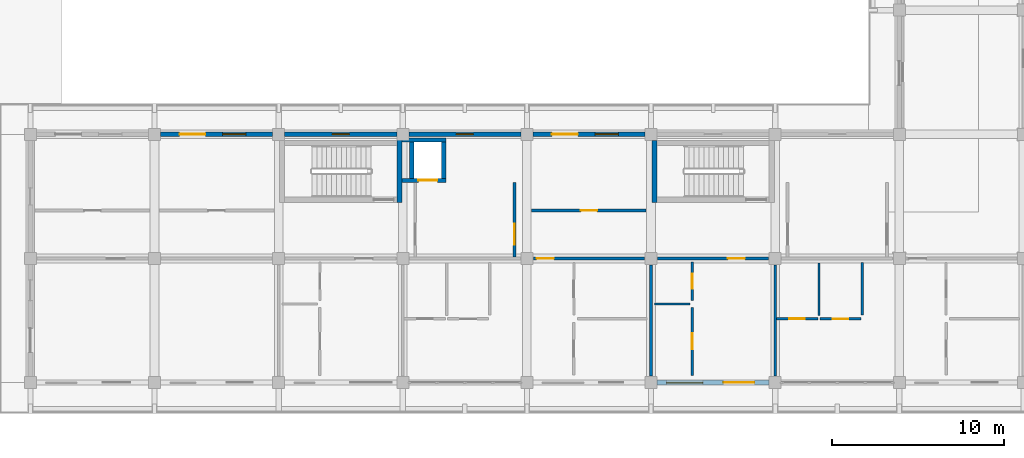
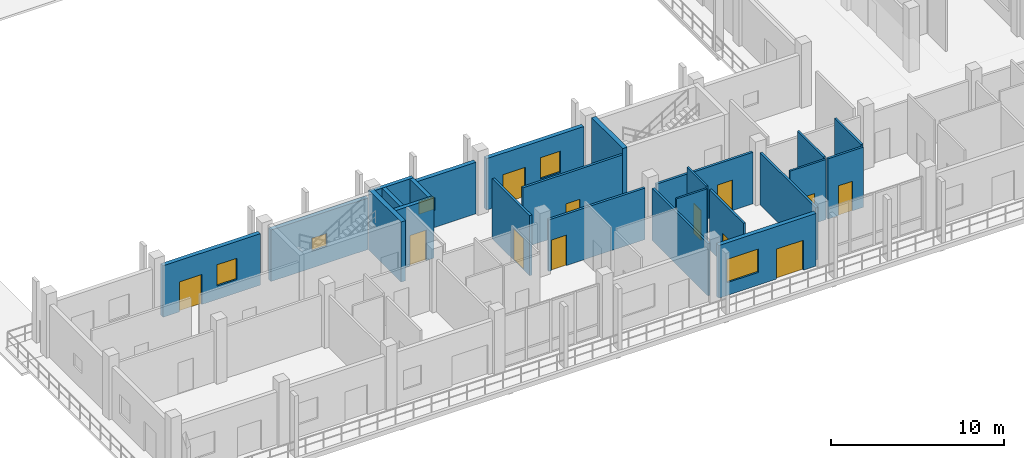
# One storey, part 82 of 110: 24 walls, 12 doors, 5 windows, 17 openings.
"""IFC4 building model written with IfcOpenShell, lengths in metres."""

from ifc_helpers import new_model, si_unit, direction, frame, frame_2d, origin, place, context, subcontext, project, spatial, rectangle, extrude, material, layer, layer_set, type_object, element, fill, save


model = new_model("IFC4")

# Units and contexts
model_context = context("Model", 3, precision=1e-05, world=origin(), true_north=direction((0.0, 1.0)))
body_context = subcontext(model_context, "Body", "Model", "MODEL_VIEW")
ifc_project = project(units=[si_unit("LENGTHUNIT", "METRE"), si_unit("AREAUNIT", "SQUARE_METRE"), si_unit("VOLUMEUNIT", "CUBIC_METRE"), si_unit("PLANEANGLEUNIT", "RADIAN"), si_unit("MASSUNIT", "GRAM", prefix="KILO")], contexts=[model_context])

# Site, building, storey
site_placement = place(None, origin())
site = spatial("IfcSite", under=ifc_project, at=site_placement, CompositionType="ELEMENT")
building_placement = place(site_placement, origin())
building = spatial("IfcBuilding", under=site, at=building_placement, Name="Suanplinth Sawtooth Commons", CompositionType="ELEMENT")
storey_placement = place(building_placement, frame((0.0, 0.0, 4.5)))
storey = spatial("IfcBuildingStorey", under=building, at=storey_placement, Name="L01", CompositionType="ELEMENT", Elevation=4.5)

# Walls
ifc_material_1 = material(Name="Concrete C40/50", Category="concrete")
ifc_layer_1 = layer(ifc_material_1, 0.300048828125, Name="Standard RC stair and lift core wall 300mm")
ifc_layer_set_1 = layer_set([ifc_layer_1], Name="Concrete C40/50")
wall_type_1 = type_object("IfcWallType", Name="W-CR02", PredefinedType="SHEAR", material=ifc_layer_set_1)
wall_1_placement = place(storey_placement, frame((143.800048828125, 10.449951171875, 0.0), z_axis=(0.0, 0.0, 1.0), x_axis=(0.0, 1.0, 0.0)))
element("IfcWall", 1, at=wall_1_placement, inside=storey, type_object=wall_type_1, Name="W-L01-C-C1-STE", PredefinedType="SHEAR", context=body_context, shape_type="SweptSolid", body=[
    extrude(rectangle(XDim=3.75, YDim=0.300048828125, at=frame_2d((1.875, 0.0))), origin(), (0.0, 0.0, 1.0), 4.25),
])
wall_2_placement = place(storey_placement, frame((158.60009765625, 10.449951171875, 0.0), z_axis=(0.0, 0.0, 1.0), x_axis=(0.0, 1.0, 0.0)))
element("IfcWall", 2, at=wall_2_placement, inside=storey, type_object=wall_type_1, Name="W-L01-C-C2-STW", PredefinedType="SHEAR", context=body_context, shape_type="SweptSolid", body=[
    extrude(rectangle(XDim=3.60009765625, YDim=0.300048828125, at=frame_2d((1.800048828125, 0.0))), origin(), (0.0, 0.0, 1.0), 4.25),
])

# Wall, openings, door, window
ifc_material_2 = material(Name="Precast concrete C40/50", Category="concrete")
ifc_layer_2 = layer(ifc_material_2, 0.280029296875, Name="Insulated precast architectural facade wall 280mm")
ifc_layer_set_2 = layer_set([ifc_layer_2], Name="Precast concrete C40/50")
wall_type_2 = type_object("IfcWallType", Name="W-EX01", PredefinedType="ELEMENTEDWALL", material=ifc_layer_set_2)
wall_3_placement = place(storey_placement, frame((129.949951171875, 14.39990234375, 0.0), z_axis=(0.0, 0.0, 1.0), x_axis=(1.0, 0.0, 0.0)))
wall_3 = element("IfcWall", 3, at=wall_3_placement, inside=storey, type_object=wall_type_2, Name="Facade Wall W-L01-C-N-18-1", PredefinedType="ELEMENTEDWALL", context=body_context, shape_type="SweptSolid", body=[
    extrude(rectangle(XDim=6.5, YDim=0.280029296875, at=frame_2d((3.25, 0.0))), origin(), (0.0, 0.0, 1.0), 3.635009765625),
])
opening_1_placement = place(wall_3_placement, frame((1.10009765625, 0.0, 0.0)))
opening_1 = element("IfcOpeningElement", 4, at=opening_1_placement, cuts=wall_3, Name="Opening ED0091", PredefinedType="OPENING", context=body_context, shape_type="SweptSolid", body=[
    extrude(rectangle(XDim=1.5, YDim=2.1201171875, at=frame_2d((0.75, 1.06005859375))), frame((0.0, 0.15478515625, 0.0), z_axis=(0.0, -1.0, 0.0), x_axis=(1.0, 0.0, 0.0)), (0.0, 0.0, 1.0), 0.309814453125),
])
opening_2_placement = place(wall_3_placement, frame((3.60009765625, 0.0, 0.949951171875)))
opening_2 = element("IfcOpeningElement", 5, at=opening_2_placement, cuts=wall_3, Name="Opening W0213", PredefinedType="OPENING", context=body_context, shape_type="SweptSolid", body=[
    extrude(rectangle(XDim=1.35009765625, YDim=1.5, at=frame_2d((0.675048828125, 0.75))), frame((0.0, 0.15478515625, 0.0), z_axis=(0.0, -1.0, 0.0), x_axis=(1.0, 0.0, 0.0)), (0.0, 0.0, 1.0), 0.309814453125),
])
ifc_material_3 = material(Name="Anodized aluminium and low-E glass", Category="aluminium")
door_type_1 = type_object("IfcDoorType", Name="SD-03", OperationType="SLIDING_TO_LEFT", PredefinedType="DOOR", material=ifc_material_3)
door_1_placement = place(opening_1_placement, frame((1.5, 0.0, 0.0), z_axis=(0.0, 0.0, 1.0), x_axis=(-1.0, 0.0, 0.0)))
door_1 = element("IfcDoor", 6, at=door_1_placement, inside=storey, type_object=door_type_1, Name="Courtyard Balcony Door L01-C-18", OperationType="SLIDING_TO_LEFT", OverallHeight=2.1201171875, OverallWidth=1.5, PredefinedType="DOOR", context=body_context, shape_type="SweptSolid", body=[
    extrude(rectangle(XDim=1.5, YDim=2.1201171875, at=frame_2d((0.75, 1.06005859375))), frame((0.0, 0.02490234375, 0.0), z_axis=(0.0, -1.0, 0.0), x_axis=(1.0, 0.0, 0.0)), (0.0, 0.0, 1.0), 0.050048828125),
])
fill(opening_1, door_1)
ifc_material_4 = material(Name="Thermally broken aluminium and low-E double glazing", Category="aluminium")
window_type_1 = type_object("IfcWindowType", Name="WN-14", PartitioningType="SINGLE_PANEL", PredefinedType="WINDOW", material=ifc_material_4)
window_1_placement = place(opening_2_placement, origin())
window_1 = element("IfcWindow", 7, at=window_1_placement, inside=storey, type_object=window_type_1, Name="Courtyard Window L01-C-18", OverallHeight=1.5, OverallWidth=1.35009765625, PartitioningType="SINGLE_PANEL", PredefinedType="WINDOW", context=body_context, shape_type="SweptSolid", body=[
    extrude(rectangle(XDim=1.35009765625, YDim=1.5, at=frame_2d((0.675048828125, 0.75))), frame((0.0, 0.030029296875, 0.0), z_axis=(0.0, -1.0, 0.0), x_axis=(1.0, 0.0, 0.0)), (0.0, 0.0, 1.0), 0.06005859375),
])
fill(opening_2, window_1)

# Wall, opening, window
wall_4_placement = place(storey_placement, frame((137.14990234375, 14.39990234375, 0.0), z_axis=(0.0, 0.0, 1.0), x_axis=(1.0, 0.0, 0.0)))
wall_4 = element("IfcWall", 8, at=wall_4_placement, inside=storey, type_object=wall_type_2, Name="Facade Wall W-L01-C-N-19-1", PredefinedType="ELEMENTEDWALL", context=body_context, shape_type="SweptSolid", body=[
    extrude(rectangle(XDim=6.5, YDim=0.280029296875, at=frame_2d((3.25, 0.0))), origin(), (0.0, 0.0, 1.0), 3.635009765625),
])
opening_3_placement = place(wall_4_placement, frame((2.75, 0.0, 1.199951171875)))
opening_3 = element("IfcOpeningElement", 9, at=opening_3_placement, cuts=wall_4, Name="Opening W0215", PredefinedType="OPENING", context=body_context, shape_type="SweptSolid", body=[
    extrude(rectangle(XDim=1.0, YDim=0.89990234375, at=frame_2d((0.5, 0.449951171875))), frame((0.0, 0.15478515625, 0.0), z_axis=(0.0, -1.0, 0.0), x_axis=(1.0, 0.0, 0.0)), (0.0, 0.0, 1.0), 0.309814453125),
])
window_type_2 = type_object("IfcWindowType", Name="WN-12", PartitioningType="SINGLE_PANEL", PredefinedType="WINDOW", material=ifc_material_4)
window_2_placement = place(opening_3_placement, origin())
window_2 = element("IfcWindow", 10, at=window_2_placement, inside=storey, type_object=window_type_2, Name="Core Daylight Window L01-C-19-1", OverallHeight=0.89990234375, OverallWidth=1.0, PartitioningType="SINGLE_PANEL", PredefinedType="WINDOW", context=body_context, shape_type="SweptSolid", body=[
    extrude(rectangle(XDim=1.0, YDim=0.89990234375, at=frame_2d((0.5, 0.449951171875))), frame((0.0, 0.030029296875, 0.0), z_axis=(0.0, -1.0, 0.0), x_axis=(1.0, 0.0, 0.0)), (0.0, 0.0, 1.0), 0.06005859375),
])
fill(opening_3, window_2)

wall_5_placement = place(storey_placement, frame((144.35009765625, 14.39990234375, 0.0), z_axis=(0.0, 0.0, 1.0), x_axis=(1.0, 0.0, 0.0)))
wall_5 = element("IfcWall", 11, at=wall_5_placement, inside=storey, type_object=wall_type_2, Name="Facade Wall W-L01-C-N-20-1", PredefinedType="ELEMENTEDWALL", context=body_context, shape_type="SweptSolid", body=[
    extrude(rectangle(XDim=6.5, YDim=0.280029296875, at=frame_2d((3.25, 0.0))), origin(), (0.0, 0.0, 1.0), 3.635009765625),
])
opening_4_placement = place(wall_5_placement, frame((2.75, 0.0, 1.199951171875)))
opening_4 = element("IfcOpeningElement", 12, at=opening_4_placement, cuts=wall_5, Name="Opening W0216", PredefinedType="OPENING", context=body_context, shape_type="SweptSolid", body=[
    extrude(rectangle(XDim=1.0, YDim=0.89990234375, at=frame_2d((0.5, 0.449951171875))), frame((0.0, 0.15478515625, 0.0), z_axis=(0.0, -1.0, 0.0), x_axis=(1.0, 0.0, 0.0)), (0.0, 0.0, 1.0), 0.309814453125),
])
window_3_placement = place(opening_4_placement, origin())
window_3 = element("IfcWindow", 13, at=window_3_placement, inside=storey, type_object=window_type_2, Name="Core Daylight Window L01-C-20-1", OverallHeight=0.89990234375, OverallWidth=1.0, PartitioningType="SINGLE_PANEL", PredefinedType="WINDOW", context=body_context, shape_type="SweptSolid", body=[
    extrude(rectangle(XDim=1.0, YDim=0.89990234375, at=frame_2d((0.5, 0.449951171875))), frame((0.0, 0.030029296875, 0.0), z_axis=(0.0, -1.0, 0.0), x_axis=(1.0, 0.0, 0.0)), (0.0, 0.0, 1.0), 0.06005859375),
])
fill(opening_4, window_3)

# Wall, openings, door, window
wall_6_placement = place(storey_placement, frame((151.550048828125, 14.39990234375, 0.0), z_axis=(0.0, 0.0, 1.0), x_axis=(1.0, 0.0, 0.0)))
wall_6 = element("IfcWall", 14, at=wall_6_placement, inside=storey, type_object=wall_type_2, Name="Facade Wall W-L01-C-N-21-1", PredefinedType="ELEMENTEDWALL", context=body_context, shape_type="SweptSolid", body=[
    extrude(rectangle(XDim=6.5, YDim=0.280029296875, at=frame_2d((3.25, 0.0))), origin(), (0.0, 0.0, 1.0), 3.635009765625),
])
opening_5_placement = place(wall_6_placement, frame((1.10009765625, 0.0, 0.0)))
opening_5 = element("IfcOpeningElement", 15, at=opening_5_placement, cuts=wall_6, Name="Opening ED0094", PredefinedType="OPENING", context=body_context, shape_type="SweptSolid", body=[
    extrude(rectangle(XDim=1.5, YDim=2.1201171875, at=frame_2d((0.75, 1.06005859375))), frame((0.0, 0.15478515625, 0.0), z_axis=(0.0, -1.0, 0.0), x_axis=(1.0, 0.0, 0.0)), (0.0, 0.0, 1.0), 0.309814453125),
])
opening_6_placement = place(wall_6_placement, frame((3.60009765625, 0.0, 0.949951171875)))
opening_6 = element("IfcOpeningElement", 16, at=opening_6_placement, cuts=wall_6, Name="Opening W0218", PredefinedType="OPENING", context=body_context, shape_type="SweptSolid", body=[
    extrude(rectangle(XDim=1.35009765625, YDim=1.5, at=frame_2d((0.675048828125, 0.75))), frame((0.0, 0.15478515625, 0.0), z_axis=(0.0, -1.0, 0.0), x_axis=(1.0, 0.0, 0.0)), (0.0, 0.0, 1.0), 0.309814453125),
])
door_2_placement = place(opening_5_placement, frame((1.5, 0.0, 0.0), z_axis=(0.0, 0.0, 1.0), x_axis=(-1.0, 0.0, 0.0)))
door_2 = element("IfcDoor", 17, at=door_2_placement, inside=storey, type_object=door_type_1, Name="Courtyard Balcony Door L01-C-21", OperationType="SLIDING_TO_LEFT", OverallHeight=2.1201171875, OverallWidth=1.5, PredefinedType="DOOR", context=body_context, shape_type="SweptSolid", body=[
    extrude(rectangle(XDim=1.5, YDim=2.1201171875, at=frame_2d((0.75, 1.06005859375))), frame((0.0, 0.02490234375, 0.0), z_axis=(0.0, -1.0, 0.0), x_axis=(1.0, 0.0, 0.0)), (0.0, 0.0, 1.0), 0.050048828125),
])
fill(opening_5, door_2)
window_4_placement = place(opening_6_placement, origin())
window_4 = element("IfcWindow", 18, at=window_4_placement, inside=storey, type_object=window_type_1, Name="Courtyard Window L01-C-21", OverallHeight=1.5, OverallWidth=1.35009765625, PartitioningType="SINGLE_PANEL", PredefinedType="WINDOW", context=body_context, shape_type="SweptSolid", body=[
    extrude(rectangle(XDim=1.35009765625, YDim=1.5, at=frame_2d((0.675048828125, 0.75))), frame((0.0, 0.030029296875, 0.0), z_axis=(0.0, -1.0, 0.0), x_axis=(1.0, 0.0, 0.0)), (0.0, 0.0, 1.0), 0.06005859375),
])
fill(opening_6, window_4)

wall_7_placement = place(storey_placement, frame((158.75, 0.0, 0.0), z_axis=(0.0, 0.0, 1.0), x_axis=(1.0, 0.0, 0.0)))
wall_7 = element("IfcWall", 19, at=wall_7_placement, inside=storey, type_object=wall_type_2, Name="Facade Wall W-L01-C-S-22-0", PredefinedType="ELEMENTEDWALL", context=body_context, shape_type="SweptSolid", body=[
    extrude(rectangle(XDim=6.5, YDim=0.280029296875, at=frame_2d((3.25, 0.0))), origin(), (0.0, 0.0, 1.0), 3.715087890625),
])
opening_7_placement = place(wall_7_placement, frame((3.85009765625, 0.0, 0.0)))
opening_7 = element("IfcOpeningElement", 20, at=opening_7_placement, cuts=wall_7, Name="Opening ED0095", PredefinedType="OPENING", context=body_context, shape_type="SweptSolid", body=[
    extrude(rectangle(XDim=1.800048828125, YDim=2.1201171875, at=frame_2d((0.89990234375, 1.06005859375))), frame((0.0, 0.15478515625, 0.0), z_axis=(0.0, -1.0, 0.0), x_axis=(1.0, 0.0, 0.0)), (0.0, 0.0, 1.0), 0.309814453125),
])
opening_8_placement = place(wall_7_placement, frame((0.550048828125, 0.0, 0.89990234375)))
opening_8 = element("IfcOpeningElement", 21, at=opening_8_placement, cuts=wall_7, Name="Opening W0219", PredefinedType="OPENING", context=body_context, shape_type="SweptSolid", body=[
    extrude(rectangle(XDim=2.10009765625, YDim=1.64990234375, at=frame_2d((1.050048828125, 0.824951171875))), frame((0.0, 0.15478515625, 0.0), z_axis=(0.0, -1.0, 0.0), x_axis=(1.0, 0.0, 0.0)), (0.0, 0.0, 1.0), 0.309814453125),
])
door_type_2 = type_object("IfcDoorType", Name="SD-01", OperationType="SLIDING_TO_LEFT", PredefinedType="DOOR", material=ifc_material_3)
door_3_placement = place(opening_7_placement, frame((1.800048828125, 0.0, 0.0), z_axis=(0.0, 0.0, 1.0), x_axis=(-1.0, 0.0, 0.0)))
door_3 = element("IfcDoor", 22, at=door_3_placement, inside=storey, type_object=door_type_2, Name="Balcony Sliding Door L01-C-22", OperationType="SLIDING_TO_LEFT", OverallHeight=2.1201171875, OverallWidth=1.800048828125, PredefinedType="DOOR", context=body_context, shape_type="SweptSolid", body=[
    extrude(rectangle(XDim=1.800048828125, YDim=2.1201171875, at=frame_2d((0.89990234375, 1.06005859375))), frame((0.0, 0.02490234375, 0.0), z_axis=(0.0, -1.0, 0.0), x_axis=(1.0, 0.0, 0.0)), (0.0, 0.0, 1.0), 0.050048828125),
])
fill(opening_7, door_3)
window_type_3 = type_object("IfcWindowType", Name="WN-06", PartitioningType="DOUBLE_PANEL_VERTICAL", PredefinedType="WINDOW", material=ifc_material_4)
window_5_placement = place(opening_8_placement, origin())
window_5 = element("IfcWindow", 23, at=window_5_placement, inside=storey, type_object=window_type_3, Name="Apartment Window L01-C-22", OverallHeight=1.64990234375, OverallWidth=2.10009765625, PartitioningType="DOUBLE_PANEL_VERTICAL", PredefinedType="WINDOW", context=body_context, shape_type="SweptSolid", body=[
    extrude(rectangle(XDim=2.10009765625, YDim=1.64990234375, at=frame_2d((1.050048828125, 0.824951171875))), frame((0.0, 0.030029296875, 0.0), z_axis=(0.0, -1.0, 0.0), x_axis=(1.0, 0.0, 0.0)), (0.0, 0.0, 1.0), 0.06005859375),
])
fill(opening_8, window_5)

# Wall, opening, door
ifc_layer_3 = layer(ifc_material_2, 0.159912109375, Name="Fire-rated corridor and lobby wall 160mm")
ifc_layer_set_3 = layer_set([ifc_layer_3], Name="Precast concrete C40/50")
wall_type_3 = type_object("IfcWallType", Name="W-FW01", PredefinedType="PARTITIONING", material=ifc_layer_set_3)
wall_8_placement = place(storey_placement, frame((150.47998046875, 7.280029296875, 0.0), z_axis=(0.0, 0.0, 1.0), x_axis=(0.0, 1.0, 0.0)))
wall_8 = element("IfcWall", 24, at=wall_8_placement, inside=storey, type_object=wall_type_3, Name="W-L01-C-C1-LOB-E", PredefinedType="PARTITIONING", context=body_context, shape_type="SweptSolid", body=[
    extrude(rectangle(XDim=4.320068359375, YDim=0.159912109375, at=frame_2d((2.16015625, 0.0))), origin(), (0.0, 0.0, 1.0), 4.25),
])
opening_9_placement = place(wall_8_placement, frame((0.719970703125, 0.0, 0.0)))
opening_9 = element("IfcOpeningElement", 25, at=opening_9_placement, cuts=wall_8, Name="Opening FD0286", PredefinedType="OPENING", context=body_context, shape_type="SweptSolid", body=[
    extrude(rectangle(XDim=1.199951171875, YDim=2.199951171875, at=frame_2d((0.60009765625, 1.10009765625))), frame((0.0, 0.0947265625, 0.0), z_axis=(0.0, -1.0, 0.0), x_axis=(1.0, 0.0, 0.0)), (0.0, 0.0, 1.0), 0.189697265625),
])
ifc_material_5 = material(Name="Teak hardwood fire-rated door assembly", Category="wood")
door_type_3 = type_object("IfcDoorType", Name="FD-02", OperationType="NOTDEFINED", PredefinedType="DOOR", material=ifc_material_5)
door_4_placement = place(opening_9_placement, frame((1.199951171875, 0.0, 0.0), z_axis=(0.0, 0.0, 1.0), x_axis=(-1.0, 0.0, 0.0)))
door_4 = element("IfcDoor", 26, at=door_4_placement, inside=storey, type_object=door_type_3, Name="Lobby Fire Door FD0286", OperationType="SINGLE_SWING_LEFT", OverallHeight=2.199951171875, OverallWidth=1.199951171875, PredefinedType="DOOR", context=body_context, shape_type="SweptSolid", body=[
    extrude(rectangle(XDim=1.199951171875, YDim=2.199951171875, at=frame_2d((0.60009765625, 1.10009765625))), frame((0.0, 0.02490234375, 0.0), z_axis=(0.0, -1.0, 0.0), x_axis=(1.0, 0.0, 0.0)), (0.0, 0.0, 1.0), 0.050048828125),
])
fill(opening_9, door_4)

wall_9_placement = place(storey_placement, frame((151.580078125, 7.199951171875, 0.0), z_axis=(0.0, 0.0, 1.0), x_axis=(1.0, 0.0, 0.0)))
wall_9 = element("IfcWall", 27, at=wall_9_placement, inside=storey, type_object=wall_type_3, Name="W-C-L01-U03-COR-S2", PredefinedType="PARTITIONING", context=body_context, shape_type="SweptSolid", body=[
    extrude(rectangle(XDim=6.43994140625, YDim=0.159912109375, at=frame_2d((3.219970703125, 0.0))), origin(), (0.0, 0.0, 1.0), 3.635009765625),
])
opening_10_placement = place(wall_9_placement, frame((0.179931640625, 0.0, 0.0)))
opening_10 = element("IfcOpeningElement", 28, at=opening_10_placement, cuts=wall_9, Name="Opening FD0620", PredefinedType="OPENING", context=body_context, shape_type="SweptSolid", body=[
    extrude(rectangle(XDim=1.0, YDim=2.14990234375, at=frame_2d((0.5, 1.074951171875))), frame((0.0, 0.0947265625, 0.0), z_axis=(0.0, -1.0, 0.0), x_axis=(1.0, 0.0, 0.0)), (0.0, 0.0, 1.0), 0.189697265625),
])
door_type_4 = type_object("IfcDoorType", Name="FD-03", OperationType="NOTDEFINED", PredefinedType="DOOR", material=ifc_material_5)
door_5_placement = place(opening_10_placement, frame((1.0, 0.0, 0.0), z_axis=(0.0, 0.0, 1.0), x_axis=(-1.0, 0.0, 0.0)))
door_5 = element("IfcDoor", 29, at=door_5_placement, inside=storey, type_object=door_type_4, Name="Unit Entrance Door FD0620", OperationType="SINGLE_SWING_RIGHT", OverallHeight=2.14990234375, OverallWidth=1.0, PredefinedType="DOOR", context=body_context, shape_type="SweptSolid", body=[
    extrude(rectangle(XDim=1.0, YDim=2.14990234375, at=frame_2d((0.5, 1.074951171875))), frame((0.0, 0.02490234375, 0.0), z_axis=(0.0, -1.0, 0.0), x_axis=(1.0, 0.0, 0.0)), (0.0, 0.0, 1.0), 0.050048828125),
])
fill(opening_10, door_5)

wall_10_placement = place(storey_placement, frame((158.780029296875, 7.199951171875, 0.0), z_axis=(0.0, 0.0, 1.0), x_axis=(1.0, 0.0, 0.0)))
wall_10 = element("IfcWall", 30, at=wall_10_placement, inside=storey, type_object=wall_type_3, Name="W-C-L01-U04-COR", PredefinedType="PARTITIONING", context=body_context, shape_type="SweptSolid", body=[
    extrude(rectangle(XDim=6.43994140625, YDim=0.159912109375, at=frame_2d((3.219970703125, 0.0))), origin(), (0.0, 0.0, 1.0), 3.635009765625),
])
opening_11_placement = place(wall_10_placement, frame((4.070068359375, 0.0, 0.0)))
opening_11 = element("IfcOpeningElement", 31, at=opening_11_placement, cuts=wall_10, Name="Opening FD0625", PredefinedType="OPENING", context=body_context, shape_type="SweptSolid", body=[
    extrude(rectangle(XDim=1.0, YDim=2.14990234375, at=frame_2d((0.5, 1.074951171875))), frame((0.0, 0.0947265625, 0.0), z_axis=(0.0, -1.0, 0.0), x_axis=(1.0, 0.0, 0.0)), (0.0, 0.0, 1.0), 0.189697265625),
])
door_6_placement = place(opening_11_placement, frame((1.0, 0.0, 0.0), z_axis=(0.0, 0.0, 1.0), x_axis=(-1.0, 0.0, 0.0)))
door_6 = element("IfcDoor", 32, at=door_6_placement, inside=storey, type_object=door_type_4, Name="Unit Entrance Door FD0625", OperationType="SINGLE_SWING_LEFT", OverallHeight=2.14990234375, OverallWidth=1.0, PredefinedType="DOOR", context=body_context, shape_type="SweptSolid", body=[
    extrude(rectangle(XDim=1.0, YDim=2.14990234375, at=frame_2d((0.5, 1.074951171875))), frame((0.0, 0.02490234375, 0.0), z_axis=(0.0, -1.0, 0.0), x_axis=(1.0, 0.0, 0.0)), (0.0, 0.0, 1.0), 0.050048828125),
])
fill(opening_11, door_6)

wall_11_placement = place(storey_placement, frame((151.47998046875, 9.97998046875, 0.0), z_axis=(0.0, 0.0, 1.0), x_axis=(1.0, 0.0, 0.0)))
wall_11 = element("IfcWall", 33, at=wall_11_placement, inside=storey, type_object=wall_type_3, Name="W-C-L01-COURTROOM-50-COR", PredefinedType="PARTITIONING", context=body_context, shape_type="SweptSolid", body=[
    extrude(rectangle(XDim=6.64013671875, YDim=0.159912109375, at=frame_2d((3.320068359375, 0.0))), origin(), (0.0, 0.0, 1.0), 4.25),
])
opening_12_placement = place(wall_11_placement, frame((2.85009765625, 0.0, 0.0)))
opening_12 = element("IfcOpeningElement", 34, at=opening_12_placement, cuts=wall_11, Name="Opening D0638", PredefinedType="OPENING", context=body_context, shape_type="SweptSolid", body=[
    extrude(rectangle(XDim=0.93994140625, YDim=2.1201171875, at=frame_2d((0.469970703125, 1.06005859375))), frame((0.0, 0.0947265625, 0.0), z_axis=(0.0, -1.0, 0.0), x_axis=(1.0, 0.0, 0.0)), (0.0, 0.0, 1.0), 0.189697265625),
])
ifc_material_6 = material(Name="Teak hardwood", Category="wood")
door_type_5 = type_object("IfcDoorType", Name="D-15", OperationType="NOTDEFINED", PredefinedType="DOOR", material=ifc_material_6)
door_7_placement = place(opening_12_placement, origin())
door_7 = element("IfcDoor", 35, at=door_7_placement, inside=storey, type_object=door_type_5, Name="Study Studio Door D0638", OperationType="SINGLE_SWING_RIGHT", OverallHeight=2.1201171875, OverallWidth=0.93994140625, PredefinedType="DOOR", context=body_context, shape_type="SweptSolid", body=[
    extrude(rectangle(XDim=0.93994140625, YDim=2.1201171875, at=frame_2d((0.469970703125, 1.06005859375))), frame((0.0, 0.02490234375, 0.0), z_axis=(0.0, -1.0, 0.0), x_axis=(1.0, 0.0, 0.0)), (0.0, 0.0, 1.0), 0.050048828125),
])
fill(opening_12, door_7)

# Walls
ifc_layer_4 = layer(ifc_material_2, 0.14990234375, Name="Acoustic precast party demising wall 150mm")
ifc_layer_set_4 = layer_set([ifc_layer_4], Name="Precast concrete C40/50")
wall_type_4 = type_object("IfcWallType", Name="W-FW02", PredefinedType="PARTITIONING", material=ifc_layer_set_4)
for number, where, z_axis, x_axis, name in (
    (36, (158.39990234375, 0.3798828125, 0.0), (0.0, 0.0, 1.0), (0.0, 1.0, 0.0), "W-C-L01-U03-PTY"),
    (37, (165.60009765625, 0.3798828125, 0.0), (0.0, 0.0, 1.0), (0.0, 1.0, 0.0), "W-C-L01-U04-PTY"),
):
    element("IfcWall", number, at=place(storey_placement, frame(where, z_axis=z_axis, x_axis=x_axis)), inside=storey, type_object=wall_type_4, Name=name, PredefinedType="PARTITIONING", context=body_context, shape_type="SweptSolid", body=[
        extrude(rectangle(XDim=6.440185546875, YDim=0.14990234375, at=frame_2d((3.22021484375, 0.0))), origin(), (0.0, 0.0, 1.0), 3.68505859375),
    ])

# Wall, opening, door
ifc_material_7 = material(Name="Gypsum plasterboard on steel stud", Category="steel")
ifc_layer_5 = layer(ifc_material_7, 0.139892578125, Name="Fire-rated kitchen partition 140mm")
ifc_layer_set_5 = layer_set([ifc_layer_5], Name="Gypsum plasterboard on steel stud")
wall_type_5 = type_object("IfcWallType", Name="W-PT01", PredefinedType="PARTITIONING", material=ifc_layer_set_5)
wall_12_placement = place(storey_placement, frame((160.794921875, 0.419921875, 0.0), z_axis=(0.0, 0.0, 1.0), x_axis=(0.0, 1.0, 0.0)))
wall_12 = element("IfcWall", 38, at=wall_12_placement, inside=storey, type_object=wall_type_5, Name="W-C-L01-U04-KITE", PredefinedType="PARTITIONING", context=body_context, shape_type="SweptSolid", body=[
    extrude(rectangle(XDim=3.940185546875, YDim=0.139892578125, at=frame_2d((1.97021484375, 0.0))), origin(), (0.0, 0.0, 1.0), 4.25),
])
opening_13_placement = place(wall_12_placement, frame((1.510009765625, 0.0, 0.0)))
opening_13 = element("IfcOpeningElement", 39, at=opening_13_placement, cuts=wall_12, Name="Opening D0627", PredefinedType="OPENING", context=body_context, shape_type="SweptSolid", body=[
    extrude(rectangle(XDim=0.919921875, YDim=2.10009765625, at=frame_2d((0.4599609375, 1.050048828125))), frame((0.0, 0.0849609375, 0.0), z_axis=(0.0, -1.0, 0.0), x_axis=(1.0, 0.0, 0.0)), (0.0, 0.0, 1.0), 0.169677734375),
])
door_type_6 = type_object("IfcDoorType", Name="D-02", OperationType="NOTDEFINED", PredefinedType="DOOR", material=ifc_material_6)
door_8_placement = place(opening_13_placement, origin())
door_8 = element("IfcDoor", 40, at=door_8_placement, inside=storey, type_object=door_type_6, Name="Kitchen Door D0627", OperationType="SINGLE_SWING_LEFT", OverallHeight=2.10009765625, OverallWidth=0.919921875, PredefinedType="DOOR", context=body_context, shape_type="SweptSolid", body=[
    extrude(rectangle(XDim=0.919921875, YDim=2.10009765625, at=frame_2d((0.4599609375, 1.050048828125))), frame((0.0, 0.02490234375, 0.0), z_axis=(0.0, -1.0, 0.0), x_axis=(1.0, 0.0, 0.0)), (0.0, 0.0, 1.0), 0.050048828125),
])
fill(opening_13, door_8)

wall_13_placement = place(storey_placement, frame((168.199951171875, 3.68994140625, 0.0), z_axis=(0.0, 0.0, 1.0), x_axis=(1.0, 0.0, 0.0)))
wall_13 = element("IfcWall", 41, at=wall_13_placement, inside=storey, type_object=wall_type_5, Name="W-C-L01-U05-KIT1", PredefinedType="PARTITIONING", context=body_context, shape_type="SweptSolid", body=[
    extrude(rectangle(XDim=2.380126953125, YDim=0.139892578125, at=frame_2d((1.18994140625, 0.0))), origin(), (0.0, 0.0, 1.0), 4.25),
])
opening_14_placement = place(wall_13_placement, frame((0.72998046875, 0.0, 0.0)))
opening_14 = element("IfcOpeningElement", 42, at=opening_14_placement, cuts=wall_13, Name="Opening D0630", PredefinedType="OPENING", context=body_context, shape_type="SweptSolid", body=[
    extrude(rectangle(XDim=0.919921875, YDim=2.10009765625, at=frame_2d((0.4599609375, 1.050048828125))), frame((0.0, 0.0849609375, 0.0), z_axis=(0.0, -1.0, 0.0), x_axis=(1.0, 0.0, 0.0)), (0.0, 0.0, 1.0), 0.169677734375),
])
door_9_placement = place(opening_14_placement, origin())
door_9 = element("IfcDoor", 43, at=door_9_placement, inside=storey, type_object=door_type_6, Name="Kitchen Door D0630", OperationType="SINGLE_SWING_RIGHT", OverallHeight=2.10009765625, OverallWidth=0.919921875, PredefinedType="DOOR", context=body_context, shape_type="SweptSolid", body=[
    extrude(rectangle(XDim=0.919921875, YDim=2.10009765625, at=frame_2d((0.4599609375, 1.050048828125))), frame((0.0, 0.02490234375, 0.0), z_axis=(0.0, -1.0, 0.0), x_axis=(1.0, 0.0, 0.0)), (0.0, 0.0, 1.0), 0.050048828125),
])
fill(opening_14, door_9)

# Walls
wall_14_placement = place(storey_placement, frame((170.64990234375, 3.909912109375, 0.0), z_axis=(0.0, 0.0, 1.0), x_axis=(0.0, 1.0, 0.0)))
element("IfcWall", 44, at=wall_14_placement, inside=storey, type_object=wall_type_5, Name="W-C-L01-U05-KIT2", PredefinedType="PARTITIONING", context=body_context, shape_type="SweptSolid", body=[
    extrude(rectangle(XDim=3.06005859375, YDim=0.139892578125, at=frame_2d((1.530029296875, 0.0))), origin(), (0.0, 0.0, 1.0), 4.25),
])
ifc_layer_6 = layer(ifc_material_7, 0.1298828125, Name="Moisture-resistant bathroom partition 130mm")
ifc_layer_set_6 = layer_set([ifc_layer_6], Name="Gypsum plasterboard on steel stud")
wall_type_6 = type_object("IfcWallType", Name="W-PT02", PredefinedType="PARTITIONING", material=ifc_layer_set_6)
wall_15_placement = place(storey_placement, frame((158.60009765625, 4.56005859375, 0.0), z_axis=(0.0, 0.0, 1.0), x_axis=(1.0, 0.0, 0.0)))
element("IfcWall", 45, at=wall_15_placement, inside=storey, type_object=wall_type_6, Name="W-C-L01-U04-STDIV", PredefinedType="PARTITIONING", context=body_context, shape_type="SweptSolid", body=[
    extrude(rectangle(XDim=2.0498046875, YDim=0.1298828125, at=frame_2d((1.02490234375, 0.0))), origin(), (0.0, 0.0, 1.0), 4.25),
])

# Wall, opening, door
wall_16_placement = place(storey_placement, frame((160.794921875, 4.760009765625, 0.0), z_axis=(0.0, 0.0, 1.0), x_axis=(0.0, 1.0, 0.0)))
wall_16 = element("IfcWall", 46, at=wall_16_placement, inside=storey, type_object=wall_type_6, Name="W-C-L01-U04-BTHE", PredefinedType="PARTITIONING", context=body_context, shape_type="SweptSolid", body=[
    extrude(rectangle(XDim=2.219970703125, YDim=0.1298828125, at=frame_2d((1.10986328125, 0.0))), origin(), (0.0, 0.0, 1.0), 4.25),
])
opening_15_placement = place(wall_16_placement, frame((0.669921875, 0.0, 0.0)))
opening_15 = element("IfcOpeningElement", 47, at=opening_15_placement, cuts=wall_16, Name="Opening D0626", PredefinedType="OPENING", context=body_context, shape_type="SweptSolid", body=[
    extrude(rectangle(XDim=0.8798828125, YDim=2.10009765625, at=frame_2d((0.43994140625, 1.050048828125))), frame((0.0, 0.079833984375, 0.0), z_axis=(0.0, -1.0, 0.0), x_axis=(1.0, 0.0, 0.0)), (0.0, 0.0, 1.0), 0.15966796875),
])
door_type_7 = type_object("IfcDoorType", Name="D-14", OperationType="NOTDEFINED", PredefinedType="DOOR", material=ifc_material_6)
door_10_placement = place(opening_15_placement, origin())
door_10 = element("IfcDoor", 48, at=door_10_placement, inside=storey, type_object=door_type_7, Name="Bathroom Door D0626", OperationType="SINGLE_SWING_RIGHT", OverallHeight=2.10009765625, OverallWidth=0.8798828125, PredefinedType="DOOR", context=body_context, shape_type="SweptSolid", body=[
    extrude(rectangle(XDim=0.8798828125, YDim=2.10009765625, at=frame_2d((0.43994140625, 1.050048828125))), frame((0.0, 0.02490234375, 0.0), z_axis=(0.0, -1.0, 0.0), x_axis=(1.0, 0.0, 0.0)), (0.0, 0.0, 1.0), 0.050048828125),
])
fill(opening_15, door_10)

wall_17_placement = place(storey_placement, frame((165.679931640625, 3.695068359375, 0.0), z_axis=(0.0, 0.0, 1.0), x_axis=(1.0, 0.0, 0.0)))
wall_17 = element("IfcWall", 49, at=wall_17_placement, inside=storey, type_object=wall_type_6, Name="W-C-L01-U05-BTH1", PredefinedType="PARTITIONING", context=body_context, shape_type="SweptSolid", body=[
    extrude(rectangle(XDim=2.400146484375, YDim=0.1298828125, at=frame_2d((1.2001953125, 0.0))), origin(), (0.0, 0.0, 1.0), 4.25),
])
opening_16_placement = place(wall_17_placement, frame((0.75, 0.0, 0.0)))
opening_16 = element("IfcOpeningElement", 50, at=opening_16_placement, cuts=wall_17, Name="Opening D0629", PredefinedType="OPENING", context=body_context, shape_type="SweptSolid", body=[
    extrude(rectangle(XDim=0.89990234375, YDim=2.10009765625, at=frame_2d((0.449951171875, 1.050048828125))), frame((0.0, 0.079833984375, 0.0), z_axis=(0.0, -1.0, 0.0), x_axis=(1.0, 0.0, 0.0)), (0.0, 0.0, 1.0), 0.15966796875),
])
door_type_8 = type_object("IfcDoorType", Name="D-01", OperationType="NOTDEFINED", PredefinedType="DOOR", material=ifc_material_6)
door_11_placement = place(opening_16_placement, origin())
door_11 = element("IfcDoor", 51, at=door_11_placement, inside=storey, type_object=door_type_8, Name="Bathroom Door D0629", OperationType="SINGLE_SWING_LEFT", OverallHeight=2.10009765625, OverallWidth=0.89990234375, PredefinedType="DOOR", context=body_context, shape_type="SweptSolid", body=[
    extrude(rectangle(XDim=0.89990234375, YDim=2.10009765625, at=frame_2d((0.449951171875, 1.050048828125))), frame((0.0, 0.02490234375, 0.0), z_axis=(0.0, -1.0, 0.0), x_axis=(1.0, 0.0, 0.0)), (0.0, 0.0, 1.0), 0.050048828125),
])
fill(opening_16, door_11)

# Wall
wall_18_placement = place(storey_placement, frame((168.14501953125, 3.89990234375, 0.0), z_axis=(0.0, 0.0, 1.0), x_axis=(0.0, 1.0, 0.0)))
element("IfcWall", 52, at=wall_18_placement, inside=storey, type_object=wall_type_6, Name="W-C-L01-U05-BTH2", PredefinedType="PARTITIONING", context=body_context, shape_type="SweptSolid", body=[
    extrude(rectangle(XDim=3.0400390625, YDim=0.1298828125, at=frame_2d((1.52001953125, 0.0))), origin(), (0.0, 0.0, 1.0), 4.25),
])

# Wall, opening, door
ifc_layer_7 = layer(ifc_material_2, 0.25, Name="Precast structural shear wall 250mm")
ifc_layer_set_7 = layer_set([ifc_layer_7], Name="Precast concrete C40/50")
wall_type_7 = type_object("IfcWallType", Name="W-SH01", PredefinedType="SHEAR", material=ifc_layer_set_7)
wall_19_placement = place(storey_placement, frame((143.949951171875, 11.72509765625, 0.0), z_axis=(0.0, 0.0, 1.0), x_axis=(1.0, 0.0, 0.0)))
wall_19 = element("IfcWall", 53, at=wall_19_placement, inside=storey, type_object=wall_type_7, Name="W-L01-LF5-S", PredefinedType="SHEAR", context=body_context, shape_type="SweptSolid", body=[
    extrude(rectangle(XDim=2.550048828125, YDim=0.25, at=frame_2d((1.27490234375, 0.0))), origin(), (0.0, 0.0, 1.0), 4.25),
])
opening_17_placement = place(wall_19_placement, frame((0.949951171875, 0.0, 0.0)))
opening_17 = element("IfcOpeningElement", 54, at=opening_17_placement, cuts=wall_19, Name="Opening LD0287", PredefinedType="OPENING", context=body_context, shape_type="SweptSolid", body=[
    extrude(rectangle(XDim=1.10009765625, YDim=2.14990234375, at=frame_2d((0.550048828125, 1.074951171875))), frame((0.0, 0.139892578125, 0.0), z_axis=(0.0, -1.0, 0.0), x_axis=(1.0, 0.0, 0.0)), (0.0, 0.0, 1.0), 0.27978515625),
])
ifc_material_8 = material(Name="Stainless steel Grade 304", Category="steel")
door_type_9 = type_object("IfcDoorType", Name="LD-01", OperationType="SLIDING_TO_LEFT", PredefinedType="DOOR", material=ifc_material_8)
door_12_placement = place(opening_17_placement, frame((1.10009765625, 0.0, 0.0), z_axis=(0.0, 0.0, 1.0), x_axis=(-1.0, 0.0, 0.0)))
door_12 = element("IfcDoor", 55, at=door_12_placement, inside=storey, type_object=door_type_9, Name="Lift Landing Sliding Door LF5 L01", OperationType="SLIDING_TO_LEFT", OverallHeight=2.14990234375, OverallWidth=1.10009765625, PredefinedType="DOOR", context=body_context, shape_type="SweptSolid", body=[
    extrude(rectangle(XDim=1.10009765625, YDim=2.14990234375, at=frame_2d((0.550048828125, 1.074951171875))), frame((0.0, 0.02490234375, 0.0), z_axis=(0.0, -1.0, 0.0), x_axis=(1.0, 0.0, 0.0)), (0.0, 0.0, 1.0), 0.050048828125),
])
fill(opening_17, door_12)

# Walls
wall_20_placement = place(storey_placement, frame((143.949951171875, 14.074951171875, 0.0), z_axis=(0.0, 0.0, 1.0), x_axis=(1.0, 0.0, 0.0)))
element("IfcWall", 56, at=wall_20_placement, inside=storey, type_object=wall_type_7, Name="W-L01-LF5-N", PredefinedType="SHEAR", context=body_context, shape_type="SweptSolid", body=[
    extrude(rectangle(XDim=2.550048828125, YDim=0.25, at=frame_2d((1.27490234375, 0.0))), origin(), (0.0, 0.0, 1.0), 4.25),
])
for number, where, z_axis, x_axis, name in (
    (57, (144.52490234375, 11.85009765625, 0.0), (0.0, 0.0, 1.0), (0.0, 1.0, 0.0), "W-L01-LF5-W"),
    (58, (146.375, 11.85009765625, 0.0), (0.0, 0.0, 1.0), (0.0, 1.0, 0.0), "W-L01-LF5-E"),
):
    element("IfcWall", number, at=place(storey_placement, frame(where, z_axis=z_axis, x_axis=x_axis)), inside=storey, type_object=wall_type_7, Name=name, PredefinedType="SHEAR", context=body_context, shape_type="SweptSolid", body=[
        extrude(rectangle(XDim=2.099853515625, YDim=0.25, at=frame_2d((1.0498046875, 0.0))), origin(), (0.0, 0.0, 1.0), 4.25),
    ])

save(model, "model.ifc")
